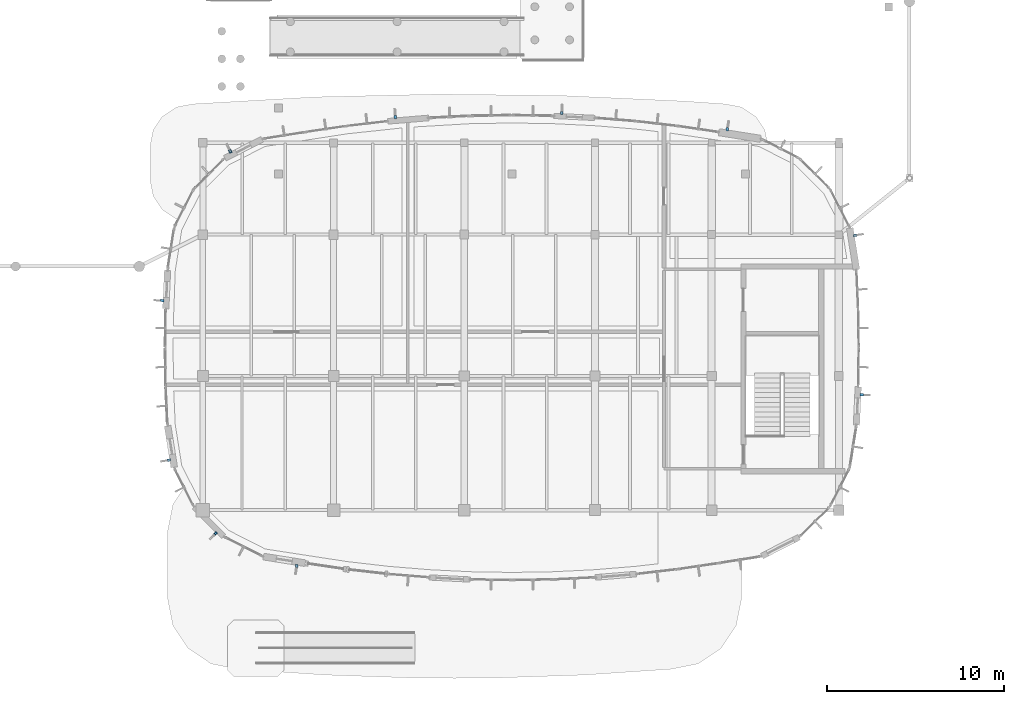
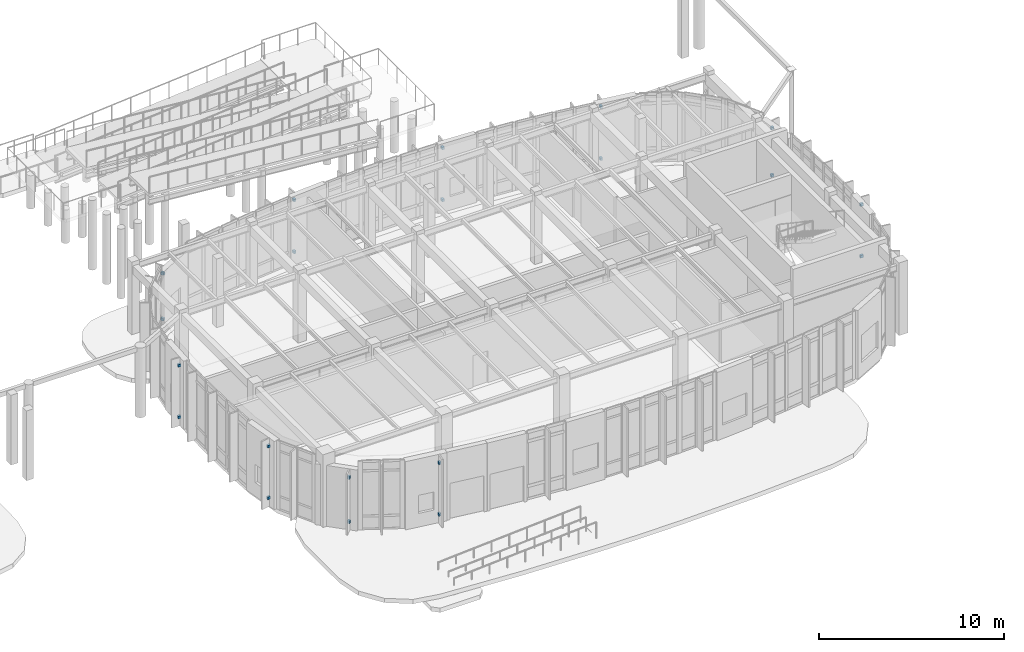
# One storey, part 97 of 120: 20 discrete accessories.
"""IFC4 building model written with IfcOpenShell, lengths in metres."""

from ifc_helpers import new_model, si_unit, direction, frame, origin, origin_2d, place, context, subcontext, project, spatial, rectangle, extrude, material, type_object, element, save


model = new_model("IFC4")

# Units and contexts
model_context = context("Model", 3, precision=1e-05, world=origin(), true_north=direction((0.0, 1.0)))
body_context = subcontext(model_context, "Body", "Model", "MODEL_VIEW")
ifc_project = project(units=[si_unit("LENGTHUNIT", "METRE"), si_unit("AREAUNIT", "SQUARE_METRE"), si_unit("VOLUMEUNIT", "CUBIC_METRE"), si_unit("PLANEANGLEUNIT", "RADIAN"), si_unit("MASSUNIT", "GRAM", prefix="KILO")], contexts=[model_context])

# Site, building, storey
site_placement = place(None, origin())
site = spatial("IfcSite", under=ifc_project, at=site_placement, CompositionType="ELEMENT")
building_placement = place(site_placement, origin())
building = spatial("IfcBuilding", under=site, at=building_placement, Name="Corveleigh Park Community Centre", CompositionType="ELEMENT")
storey_placement = place(building_placement, origin())
storey = spatial("IfcBuildingStorey", under=building, at=storey_placement, Name="L00", CompositionType="ELEMENT", Elevation=0.0)

# Discrete accessories
ifc_material = material(Name="Stainless steel 316 balustrade", Category="steel")
discrete_accessory_type = type_object("IfcDiscreteAccessoryType", Name="ACC-BRK-STL", PredefinedType="BRACKET", material=ifc_material)
for number, where, z_axis, x_axis, name in (
    (1, (109.300048828125, 17.72998046875, 0.5), (0.0, 0.0, 1.0), (0.998942789627, -0.045970676011, 0.0), "Fin fixing bracket lower"),
    (2, (109.300048828125, 17.72998046875, 3.912109375), (0.0, 0.0, 1.0), (0.998942789627, -0.045970676011, 0.0), "Fin fixing bracket upper"),
    (3, (108.922119140625, 26.762939453125, 0.5), (0.0, 0.0, 1.0), (0.98768803972, 0.156436364679, 0.0), "Fin fixing bracket lower"),
    (4, (108.922119140625, 26.762939453125, 3.625), (0.0, 0.0, 1.0), (0.98768803972, 0.156436364679, 0.0), "Fin fixing bracket upper"),
    (5, (101.68896484375, 32.76611328125, 0.5), (0.0, 0.0, 1.0), (0.156605894344, 0.98766117361, 0.0), "Fin fixing bracket lower"),
    (6, (101.68896484375, 32.76611328125, 3.93701171875), (0.0, 0.0, 1.0), (0.156605894344, 0.98766117361, 0.0), "Fin fixing bracket upper"),
    (7, (92.318115234375, 33.68896484375, 0.5), (0.0, 0.0, 1.0), (0.049723823459, 0.998763005613, 0.0), "Fin fixing bracket lower"),
    (8, (92.318115234375, 33.68896484375, 3.93701171875), (0.0, 0.0, 1.0), (0.049723823459, 0.998763005613, 0.0), "Fin fixing bracket upper"),
    (9, (82.90087890625, 33.450927734375, 0.5), (0.0, 0.0, 1.0), (-0.081483729643, 0.996674671999, 0.0), "Fin fixing bracket lower"),
    (10, (82.90087890625, 33.450927734375, 3.93701171875), (0.0, 0.0, 1.0), (-0.081483729643, 0.996674671999, 0.0), "Fin fixing bracket upper"),
    (11, (73.554931640625, 31.51806640625, 0.5), (0.0, 0.0, 1.0), (-0.45413480079, 0.890932984411, 0.0), "Fin fixing bracket lower"),
    (12, (73.554931640625, 31.51806640625, 3.51611328125), (0.0, 0.0, 1.0), (-0.45413480079, 0.890932984411, 0.0), "Fin fixing bracket upper"),
    (13, (69.699951171875, 23.070068359375, 0.5), (0.0, 0.0, 1.0), (-0.998942789627, 0.045970676011, 0.0), "Fin fixing bracket lower"),
    (14, (69.699951171875, 23.070068359375, 3.912109375), (0.0, 0.0, 1.0), (-0.998942789627, 0.045970676011, 0.0), "Fin fixing bracket upper"),
    (15, (70.077880859375, 14.037109375, 0.5), (0.0, 0.0, 1.0), (-0.98768803972, -0.156436364679, 0.0), "Fin fixing bracket lower"),
    (16, (70.077880859375, 14.037109375, 3.912109375), (0.0, 0.0, 1.0), (-0.98768803972, -0.156436364679, 0.0), "Fin fixing bracket upper"),
    (17, (72.72802734375, 9.89404296875, 0.5), (0.0, 0.0, 1.0), (-0.707106781187, -0.707106781187, 0.0), "Fin fixing bracket lower"),
    (18, (72.72802734375, 9.89404296875, 3.429931640625), (0.0, 0.0, 1.0), (-0.707106781187, -0.707106781187, 0.0), "Fin fixing bracket upper"),
    (19, (77.31298828125, 8.0439453125, 0.5), (0.0, 0.0, 1.0), (-0.156605894344, -0.98766117361, 0.0), "Fin fixing bracket lower"),
    (20, (77.31298828125, 8.0439453125, 3.912109375), (0.0, 0.0, 1.0), (-0.156605894344, -0.98766117361, 0.0), "Fin fixing bracket upper"),
):
    element("IfcDiscreteAccessory", number, at=place(storey_placement, frame(where, z_axis=z_axis, x_axis=x_axis)), inside=storey, type_object=discrete_accessory_type, Name=name, PredefinedType="BRACKET", context=body_context, shape_type="SweptSolid", body=[
        extrude(rectangle(XDim=0.179931640625, YDim=0.139892578125, at=origin_2d()), origin(), (0.0, 0.0, 1.0), 0.169921875),
    ])

save(model, "model.ifc")
